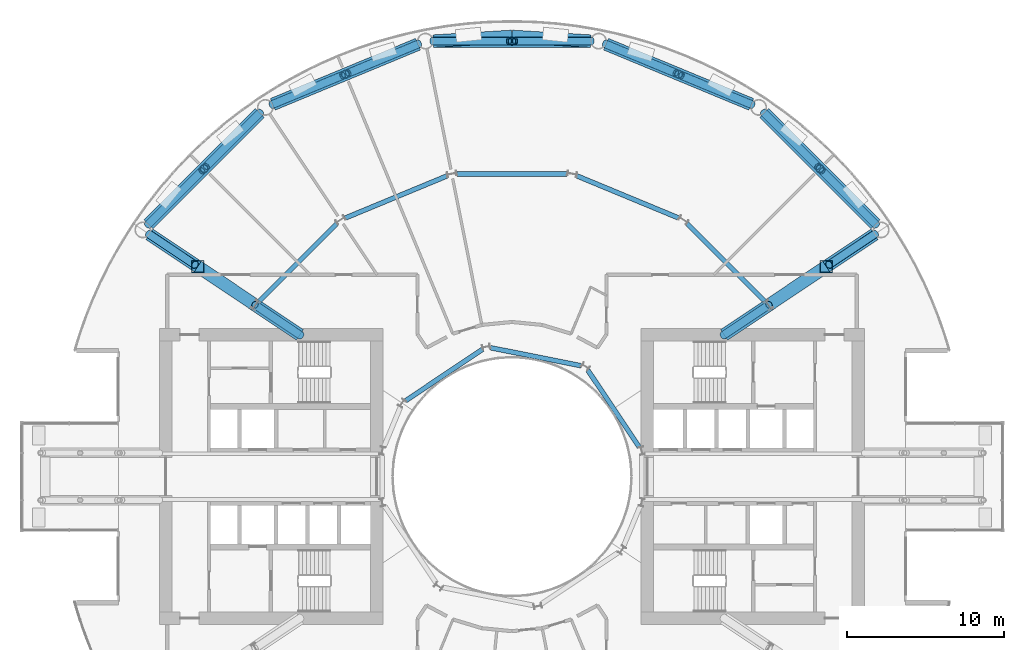
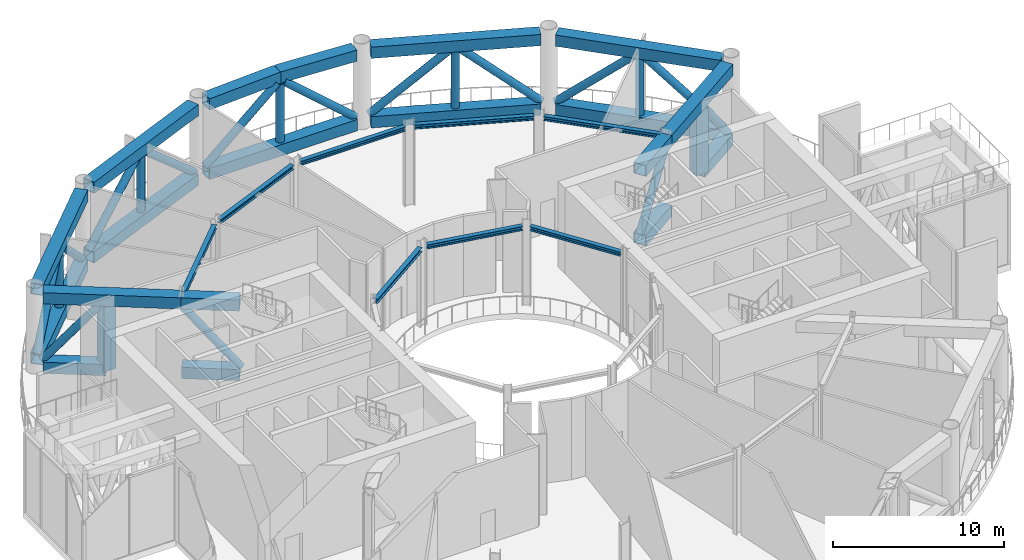
# One storey, part 8 of 22: 27 beams, 21 members.
"""IFC4 building model written with IfcOpenShell, lengths in metres."""

from ifc_helpers import new_model, si_unit, direction, frame, origin, origin_2d, place, context, subcontext, project, spatial, hollow_rectangle, hollow_circle, i_section, extrude, material, material_profile, profile_set, type_object, element, save


model = new_model("IFC4")

# Units and contexts
model_context = context("Model", 3, precision=1e-05, world=origin(), true_north=direction((0.0, 1.0)))
body_context = subcontext(model_context, "Body", "Model", "MODEL_VIEW")
ifc_project = project(units=[si_unit("LENGTHUNIT", "METRE"), si_unit("AREAUNIT", "SQUARE_METRE"), si_unit("VOLUMEUNIT", "CUBIC_METRE"), si_unit("PLANEANGLEUNIT", "RADIAN"), si_unit("MASSUNIT", "GRAM", prefix="KILO")], contexts=[model_context])

# Site, building, storey
site_placement = place(None, origin())
site = spatial("IfcSite", under=ifc_project, at=site_placement, CompositionType="ELEMENT")
building_placement = place(site_placement, origin())
building = spatial("IfcBuilding", under=site, at=building_placement, Name="Maasbend Ring Residences", CompositionType="ELEMENT")
storey_placement = place(building_placement, frame((0.0, 0.0, 57.5)))
storey = spatial("IfcBuildingStorey", under=building, at=storey_placement, Name="L16", CompositionType="ELEMENT", Elevation=57.5)

# Beams
ifc_material_1 = material(Name="Steel S460M", Category="steel")
ifc_material_profile_1 = material_profile(ifc_material_1, hollow_rectangle(XDim=0.800048828125, YDim=0.800048828125, WallThickness=0.0400390625, at=origin_2d()), Name="Belt truss chord BX 800x800x40")
ifc_profile_set_1 = profile_set([ifc_material_profile_1], Name="Steel S460M")
beam_type_1 = type_object("IfcBeamType", Name="Belt truss chord BX 800x800x40", PredefinedType="BEAM", material=ifc_profile_set_1)
for number, where, z_axis, x_axis, name in (
    (1, (23.088134765625, 16.0263671875, 0.39990234375), (-0.707106781187, 0.707106781187, 0.0), (-0.707106781187, -0.707106781187, 0.0), "Belt truss"),
    (2, (23.088134765625, 16.0263671875, 5.35009765625), (-0.707106781187, 0.707106781187, 0.0), (-0.707106781187, -0.707106781187, 0.0), "Belt truss"),
):
    element("IfcBeam", number, at=place(storey_placement, frame(where, z_axis=z_axis, x_axis=x_axis)), inside=storey, type_object=beam_type_1, Name=name, PredefinedType="BEAM", context=body_context, shape_type="SweptSolid", body=[
        extrude(hollow_rectangle(XDim=0.800048828125, YDim=0.800048828125, WallThickness=0.0400390625, at=origin_2d()), origin(), (0.0, 0.0, 1.0), 9.98681640625),
    ])
for number, where, z_axis, x_axis, name in (
    (3, (15.19775390625, 23.641845703125, 0.39990234375), (-0.923886337442, 0.382667003395, 0.0), (-0.382667003395, -0.923886337442, 0.0), "Belt truss"),
    (4, (15.19775390625, 23.641845703125, 5.35009765625), (-0.923886337442, 0.382667003395, 0.0), (-0.382667003395, -0.923886337442, 0.0), "Belt truss"),
):
    element("IfcBeam", number, at=place(storey_placement, frame(where, z_axis=z_axis, x_axis=x_axis)), inside=storey, type_object=beam_type_1, Name=name, PredefinedType="BEAM", context=body_context, shape_type="SweptSolid", body=[
        extrude(hollow_rectangle(XDim=0.800048828125, YDim=0.800048828125, WallThickness=0.0400390625, at=origin_2d()), origin(), (0.0, 0.0, 1.0), 9.9873046875),
    ])
beam_1_placement = place(storey_placement, frame((4.993408203125, 27.658203125, 0.39990234375), z_axis=(-1.0, 0.0, 0.0), x_axis=(0.0, -1.0, 0.0)))
element("IfcBeam", 5, at=beam_1_placement, inside=storey, type_object=beam_type_1, Name="Belt truss", PredefinedType="BEAM", context=body_context, shape_type="SweptSolid", body=[
    extrude(hollow_rectangle(XDim=0.800048828125, YDim=0.800048828125, WallThickness=0.0400390625, at=origin_2d()), origin(), (0.0, 0.0, 1.0), 9.98681640625),
])
for number, where, z_axis, x_axis, name in (
    (6, (4.993408203125, 27.658203125, 5.35009765625), (-0.998202452092, 0.059932166976, 0.0), (-0.059932166976, -0.998202452092, 0.0), "Belt truss"),
    (7, (0.0, 27.9580078125, 5.35009765625), (-0.998202452092, -0.059932166976, 0.0), (0.059932166976, -0.998202452092, 0.0), "Belt truss"),
):
    element("IfcBeam", number, at=place(storey_placement, frame(where, z_axis=z_axis, x_axis=x_axis)), inside=storey, type_object=beam_type_1, Name=name, PredefinedType="BEAM", context=body_context, shape_type="SweptSolid", body=[
        extrude(hollow_rectangle(XDim=0.800048828125, YDim=0.800048828125, WallThickness=0.0400390625, at=origin_2d()), origin(), (0.0, 0.0, 1.0), 5.00244140625),
    ])
for number, where, z_axis, x_axis, name in (
    (8, (-5.970703125, 27.463623046875, 0.39990234375), (-0.923886337442, -0.382667003395, 0.0), (0.382667003395, -0.923886337442, 0.0), "Belt truss"),
    (9, (-5.970703125, 27.463623046875, 5.35009765625), (-0.923886337442, -0.382667003395, 0.0), (0.382667003395, -0.923886337442, 0.0), "Belt truss"),
):
    element("IfcBeam", number, at=place(storey_placement, frame(where, z_axis=z_axis, x_axis=x_axis)), inside=storey, type_object=beam_type_1, Name=name, PredefinedType="BEAM", context=body_context, shape_type="SweptSolid", body=[
        extrude(hollow_rectangle(XDim=0.800048828125, YDim=0.800048828125, WallThickness=0.0400390625, at=origin_2d()), origin(), (0.0, 0.0, 1.0), 9.9873046875),
    ])
for number, where, z_axis, x_axis, name in (
    (10, (-16.0263671875, 23.088134765625, 0.39990234375), (-0.707106781187, -0.707106781187, 0.0), (0.707106781187, -0.707106781187, 0.0), "Belt truss"),
    (11, (-16.0263671875, 23.088134765625, 5.35009765625), (-0.707106781187, -0.707106781187, 0.0), (0.707106781187, -0.707106781187, 0.0), "Belt truss"),
):
    element("IfcBeam", number, at=place(storey_placement, frame(where, z_axis=z_axis, x_axis=x_axis)), inside=storey, type_object=beam_type_1, Name=name, PredefinedType="BEAM", context=body_context, shape_type="SweptSolid", body=[
        extrude(hollow_rectangle(XDim=0.800048828125, YDim=0.800048828125, WallThickness=0.0400390625, at=origin_2d()), origin(), (0.0, 0.0, 1.0), 9.98681640625),
    ])

# Members
ifc_material_2 = material(Name="Steel S460NH", Category="steel")
ifc_material_profile_2 = material_profile(ifc_material_2, hollow_circle(Radius=0.25390625, WallThickness=0.02490234375, at=origin_2d()), Name="Belt truss diagonal CHS 508x25")
ifc_profile_set_2 = profile_set([ifc_material_profile_2], Name="Steel S460NH")
member_type_1 = type_object("IfcMemberType", Name="Belt truss diagonal CHS 508x25", PredefinedType="BRACE", material=ifc_profile_set_2)
for number, where, z_axis, x_axis, name in (
    (12, (23.128662109375, 15.98583984375, 0.75), (-0.531991428585, 0.531991428585, 0.658764176185), (-0.707106781187, -0.707106781187, 0.0), "Belt truss diagonal"),
    (13, (19.41796875, 19.696533203125, 5.0), (-0.531991428585, 0.531991428585, -0.658764176185), (-0.707106781187, -0.707106781187, 0.0), "Belt truss diagonal"),
    (14, (15.25048828125, 23.619873046875, 0.75), (-0.695087926756, 0.287904450499, 0.658759289469), (-0.382671638182, -0.923884417734, 0.0), "Belt truss diagonal"),
    (15, (10.40234375, 25.628173828125, 5.0), (-0.695068367071, 0.287912023557, -0.658776617519), (-0.382689421718, -0.923877051617, 0.0), "Belt truss diagonal"),
):
    element("IfcMember", number, at=place(storey_placement, frame(where, z_axis=z_axis, x_axis=x_axis)), inside=storey, type_object=member_type_1, Name=name, PredefinedType="BRACE", context=body_context, shape_type="SweptSolid", body=[
        extrude(hollow_circle(Radius=0.25390625, WallThickness=0.02490234375, at=origin_2d()), origin(), (0.0, 0.0, 1.0), 6.451416015625),
    ])
for number, where, z_axis, x_axis, name in (
    (16, (5.050537109375, 27.658203125, 0.75), (-0.752332835899, 0.0, 0.658783199564), (0.0, -1.0, 0.0), "Belt truss diagonal"),
    (17, (-0.197021484375, 27.658203125, 5.0), (-0.752332835899, 0.0, -0.658783199564), (0.0, -1.0, 0.0), "Belt truss diagonal"),
):
    element("IfcMember", number, at=place(storey_placement, frame(where, z_axis=z_axis, x_axis=x_axis)), inside=storey, type_object=member_type_1, Name=name, PredefinedType="BRACE", context=body_context, shape_type="SweptSolid", body=[
        extrude(hollow_circle(Radius=0.25390625, WallThickness=0.02490234375, at=origin_2d()), origin(), (0.0, 0.0, 1.0), 6.451171875),
    ])
for number, where, z_axis, x_axis, name in (
    (18, (-5.918212890625, 27.485595703125, 0.75), (-0.695068367071, -0.287912023557, 0.658776617519), (0.382689421718, -0.923877051617, 0.0), "Belt truss diagonal"),
    (19, (-10.76611328125, 25.477294921875, 5.0), (-0.695087926756, -0.287904450499, -0.658759289469), (0.382671638182, -0.923884417734, 0.0), "Belt truss diagonal"),
    (20, (-15.98583984375, 23.128662109375, 0.75), (-0.531991428585, -0.531991428585, 0.658764176185), (0.707106781187, -0.707106781187, 0.0), "Belt truss diagonal"),
    (21, (-19.696533203125, 19.41796875, 5.0), (-0.531991428585, -0.531991428585, -0.658764176185), (0.707106781187, -0.707106781187, 0.0), "Belt truss diagonal"),
):
    element("IfcMember", number, at=place(storey_placement, frame(where, z_axis=z_axis, x_axis=x_axis)), inside=storey, type_object=member_type_1, Name=name, PredefinedType="BRACE", context=body_context, shape_type="SweptSolid", body=[
        extrude(hollow_circle(Radius=0.25390625, WallThickness=0.02490234375, at=origin_2d()), origin(), (0.0, 0.0, 1.0), 6.451416015625),
    ])
ifc_material_3 = material(Name="Steel S460NH", Category="steel")
ifc_material_profile_3 = material_profile(ifc_material_3, hollow_circle(Radius=0.25390625, WallThickness=0.01611328125, at=origin_2d()), Name="Belt truss post CHS 508x16")
ifc_profile_set_3 = profile_set([ifc_material_profile_3], Name="Steel S460NH")
member_type_2 = type_object("IfcMemberType", Name="Belt truss post CHS 508x16", PredefinedType="POST", material=ifc_profile_set_3)
for number, where, z_axis, x_axis, name in (
    (22, (19.55712890625, 19.55712890625, 0.800048828125), (0.0, 0.0, 1.0), (1.0, 0.0, 0.0), "Belt truss post"),
    (23, (10.584228515625, 25.552734375, 0.800048828125), (0.0, 0.0, 1.0), (1.0, 0.0, 0.0), "Belt truss post"),
    (24, (0.0, 27.658203125, 0.800048828125), (0.0, 0.0, 1.0), (1.0, 0.0, 0.0), "Belt truss post"),
    (25, (-10.584228515625, 25.552734375, 0.800048828125), (0.0, 0.0, 1.0), (1.0, 0.0, 0.0), "Belt truss post"),
    (26, (-19.55712890625, 19.55712890625, 0.800048828125), (0.0, 0.0, 1.0), (1.0, 0.0, 0.0), "Belt truss post"),
):
    element("IfcMember", number, at=place(storey_placement, frame(where, z_axis=z_axis, x_axis=x_axis)), inside=storey, type_object=member_type_2, Name=name, PredefinedType="POST", context=body_context, shape_type="SweptSolid", body=[
        extrude(hollow_circle(Radius=0.25390625, WallThickness=0.01611328125, at=origin_2d()), origin(), (0.0, 0.0, 1.0), 4.14990234375),
    ])

# Beams
ifc_material_4 = material(Name="Steel S355J2", Category="steel")
ifc_material_profile_4 = material_profile(ifc_material_4, i_section(OverallWidth=0.300048828125, OverallDepth=0.300048828125, WebThickness=0.010986328125, FlangeThickness=0.01904296875, FilletRadius=0.027099609375, at=origin_2d()), Name="HEB 300")
ifc_profile_set_4 = profile_set([ifc_material_profile_4], Name="Steel S355J2")
beam_type_2 = type_object("IfcBeamType", Name="Corridor ring beam HEB 300", PredefinedType="BEAM", material=ifc_profile_set_4)
beam_2_placement = place(storey_placement, frame((16.0732421875, 11.11279296875, 5.60009765625), z_axis=(-0.707106781187, 0.707106781187, 0.0), x_axis=(-0.707106781187, -0.707106781187, 0.0)))
element("IfcBeam", 27, at=beam_2_placement, inside=storey, type_object=beam_type_2, Name="Corridor ring beam", PredefinedType="BEAM", context=body_context, shape_type="SweptSolid", body=[
    extrude(i_section(OverallWidth=0.300048828125, OverallDepth=0.300048828125, WebThickness=0.010986328125, FlangeThickness=0.01904296875, FilletRadius=0.027099609375, at=origin_2d()), origin(), (0.0, 0.0, 1.0), 7.01513671875),
])
beam_3_placement = place(storey_placement, frame((10.59716796875, 16.417724609375, 5.60009765625), z_axis=(-0.923886196809, 0.38266734293, 0.0), x_axis=(-0.38266734293, -0.923886196809, 0.0)))
element("IfcBeam", 28, at=beam_3_placement, inside=storey, type_object=beam_type_2, Name="Corridor ring beam", PredefinedType="BEAM", context=body_context, shape_type="SweptSolid", body=[
    extrude(i_section(OverallWidth=0.300048828125, OverallDepth=0.300048828125, WebThickness=0.010986328125, FlangeThickness=0.01904296875, FilletRadius=0.027099609375, at=origin_2d()), origin(), (0.0, 0.0, 1.0), 7.015380859375),
])
beam_4_placement = place(storey_placement, frame((3.5078125, 19.223388671875, 5.60009765625), z_axis=(-1.0, 0.0, 0.0), x_axis=(0.0, -1.0, 0.0)))
element("IfcBeam", 29, at=beam_4_placement, inside=storey, type_object=beam_type_2, Name="Corridor ring beam", PredefinedType="BEAM", context=body_context, shape_type="SweptSolid", body=[
    extrude(i_section(OverallWidth=0.300048828125, OverallDepth=0.300048828125, WebThickness=0.010986328125, FlangeThickness=0.01904296875, FilletRadius=0.027099609375, at=origin_2d()), origin(), (0.0, 0.0, 1.0), 7.015625),
])
beam_5_placement = place(storey_placement, frame((-4.11572265625, 19.102294921875, 5.60009765625), z_axis=(-0.923886196809, -0.38266734293, 0.0), x_axis=(0.38266734293, -0.923886196809, 0.0)))
element("IfcBeam", 30, at=beam_5_placement, inside=storey, type_object=beam_type_2, Name="Corridor ring beam", PredefinedType="BEAM", context=body_context, shape_type="SweptSolid", body=[
    extrude(i_section(OverallWidth=0.300048828125, OverallDepth=0.300048828125, WebThickness=0.010986328125, FlangeThickness=0.01904296875, FilletRadius=0.027099609375, at=origin_2d()), origin(), (0.0, 0.0, 1.0), 7.015380859375),
])
beam_6_placement = place(storey_placement, frame((-11.11279296875, 16.0732421875, 5.60009765625), z_axis=(-0.707106781187, -0.707106781187, 0.0), x_axis=(0.707106781187, -0.707106781187, 0.0)))
element("IfcBeam", 31, at=beam_6_placement, inside=storey, type_object=beam_type_2, Name="Corridor ring beam", PredefinedType="BEAM", context=body_context, shape_type="SweptSolid", body=[
    extrude(i_section(OverallWidth=0.300048828125, OverallDepth=0.300048828125, WebThickness=0.010986328125, FlangeThickness=0.01904296875, FilletRadius=0.027099609375, at=origin_2d()), origin(), (0.0, 0.0, 1.0), 7.01513671875),
])
ifc_material_5 = material(Name="Steel S460M", Category="steel")
ifc_material_profile_5 = material_profile(ifc_material_5, hollow_rectangle(XDim=0.800048828125, YDim=0.800048828125, WallThickness=0.0400390625, at=origin_2d()), Name="Outrigger truss chord BX 800x800x40")
ifc_profile_set_5 = profile_set([ifc_material_profile_5], Name="Steel S460M")
beam_type_3 = type_object("IfcBeamType", Name="Outrigger truss chord BX 800x800x40", PredefinedType="BEAM", material=ifc_profile_set_5)
beam_7_placement = place(storey_placement, frame((23.02490234375, 15.385009765625, 0.39990234375), z_axis=(-0.83143805452, -0.555617459676, 0.0), x_axis=(0.555617459676, -0.83143805452, 0.0)))
element("IfcBeam", 32, at=beam_7_placement, inside=storey, type_object=beam_type_3, Name="Outrigger truss", PredefinedType="BEAM", context=body_context, shape_type="SweptSolid", body=[
    extrude(hollow_rectangle(XDim=0.800048828125, YDim=0.800048828125, WallThickness=0.0400390625, at=origin_2d()), origin(), (0.0, 0.0, 1.0), 3.68408203125),
])
beam_8_placement = place(storey_placement, frame((23.02490234375, 15.385009765625, 5.35009765625), z_axis=(-0.831450444505, -0.555598918585, 0.0), x_axis=(0.555598918585, -0.831450444505, 0.0)))
element("IfcBeam", 33, at=beam_8_placement, inside=storey, type_object=beam_type_3, Name="Outrigger truss", PredefinedType="BEAM", context=body_context, shape_type="SweptSolid", body=[
    extrude(hollow_rectangle(XDim=0.800048828125, YDim=0.800048828125, WallThickness=0.0400390625, at=origin_2d()), origin(), (0.0, 0.0, 1.0), 8.083984375),
])
for number, where, z_axis, x_axis, name in (
    (34, (16.2900390625, 10.884765625, 0.39990234375), (-0.831451918965, -0.555596712058, 0.0), (0.555596712058, -0.831451918965, 0.0), "Outrigger truss"),
    (35, (16.2900390625, 10.884765625, 5.35009765625), (-0.831451918965, -0.555596712058, 0.0), (0.555596712058, -0.831451918965, 0.0), "Outrigger truss"),
):
    element("IfcBeam", number, at=place(storey_placement, frame(where, z_axis=z_axis, x_axis=x_axis)), inside=storey, type_object=beam_type_3, Name=name, PredefinedType="BEAM", context=body_context, shape_type="SweptSolid", body=[
        extrude(hollow_rectangle(XDim=0.800048828125, YDim=0.800048828125, WallThickness=0.0400390625, at=origin_2d()), origin(), (0.0, 0.0, 1.0), 3.392333984375),
    ])
beam_9_placement = place(storey_placement, frame((-23.02490234375, 15.385009765625, 0.39990234375), z_axis=(0.83143805452, -0.555617459676, 0.0), x_axis=(0.555617459676, 0.83143805452, 0.0)))
element("IfcBeam", 36, at=beam_9_placement, inside=storey, type_object=beam_type_3, Name="Outrigger truss", PredefinedType="BEAM", context=body_context, shape_type="SweptSolid", body=[
    extrude(hollow_rectangle(XDim=0.800048828125, YDim=0.800048828125, WallThickness=0.0400390625, at=origin_2d()), origin(), (0.0, 0.0, 1.0), 3.68408203125),
])
beam_10_placement = place(storey_placement, frame((-23.02490234375, 15.385009765625, 5.35009765625), z_axis=(0.831450444505, -0.555598918585, 0.0), x_axis=(0.555598918585, 0.831450444505, 0.0)))
element("IfcBeam", 37, at=beam_10_placement, inside=storey, type_object=beam_type_3, Name="Outrigger truss", PredefinedType="BEAM", context=body_context, shape_type="SweptSolid", body=[
    extrude(hollow_rectangle(XDim=0.800048828125, YDim=0.800048828125, WallThickness=0.0400390625, at=origin_2d()), origin(), (0.0, 0.0, 1.0), 8.083984375),
])
for number, where, z_axis, x_axis, name in (
    (38, (-16.2900390625, 10.884765625, 0.39990234375), (0.831451918965, -0.555596712058, 0.0), (0.555596712058, 0.831451918965, 0.0), "Outrigger truss"),
    (39, (-16.2900390625, 10.884765625, 5.35009765625), (0.831451918965, -0.555596712058, 0.0), (0.555596712058, 0.831451918965, 0.0), "Outrigger truss"),
):
    element("IfcBeam", number, at=place(storey_placement, frame(where, z_axis=z_axis, x_axis=x_axis)), inside=storey, type_object=beam_type_3, Name=name, PredefinedType="BEAM", context=body_context, shape_type="SweptSolid", body=[
        extrude(hollow_rectangle(XDim=0.800048828125, YDim=0.800048828125, WallThickness=0.0400390625, at=origin_2d()), origin(), (0.0, 0.0, 1.0), 3.392333984375),
    ])

# Members
ifc_material_6 = material(Name="Steel S460NH", Category="steel")
ifc_material_profile_6 = material_profile(ifc_material_6, hollow_circle(Radius=0.25390625, WallThickness=0.02490234375, at=origin_2d()), Name="Outrigger truss diagonal CHS 508x25")
ifc_profile_set_6 = profile_set([ifc_material_profile_6], Name="Steel S460NH")
member_type_3 = type_object("IfcMemberType", Name="Outrigger truss diagonal CHS 508x25", PredefinedType="BRACE", material=ifc_profile_set_6)
member_1_placement = place(storey_placement, frame((23.059326171875, 15.40771484375, 0.75), z_axis=(-0.529709832536, -0.353922150921, 0.770809058329), x_axis=(0.55555000103, -0.83148313053, 0.0)))
element("IfcMember", 40, at=member_1_placement, inside=storey, type_object=member_type_3, Name="Outrigger truss diagonal", PredefinedType="BRACE", context=body_context, shape_type="SweptSolid", body=[
    extrude(hollow_circle(Radius=0.25390625, WallThickness=0.02490234375, at=origin_2d()), origin(), (0.0, 0.0, 1.0), 5.513671875),
])
member_2_placement = place(storey_placement, frame((16.32421875, 10.907470703125, 5.0), z_axis=(-0.526268216764, -0.351616371312, -0.774214241311), x_axis=(0.555543133943, -0.831487718688, 0.0)))
element("IfcMember", 41, at=member_2_placement, inside=storey, type_object=member_type_3, Name="Outrigger truss diagonal", PredefinedType="BRACE", context=body_context, shape_type="SweptSolid", body=[
    extrude(hollow_circle(Radius=0.25390625, WallThickness=0.02490234375, at=origin_2d()), origin(), (0.0, 0.0, 1.0), 5.489501953125),
])
member_3_placement = place(storey_placement, frame((-23.059326171875, 15.40771484375, 0.75), z_axis=(0.529709832536, -0.353922150921, 0.770809058329), x_axis=(0.55555000103, 0.83148313053, 0.0)))
element("IfcMember", 42, at=member_3_placement, inside=storey, type_object=member_type_3, Name="Outrigger truss diagonal", PredefinedType="BRACE", context=body_context, shape_type="SweptSolid", body=[
    extrude(hollow_circle(Radius=0.25390625, WallThickness=0.02490234375, at=origin_2d()), origin(), (0.0, 0.0, 1.0), 5.513671875),
])
member_4_placement = place(storey_placement, frame((-16.32421875, 10.907470703125, 5.0), z_axis=(0.526268216764, -0.351616371312, -0.774214241311), x_axis=(0.555543133943, 0.831487718688, 0.0)))
element("IfcMember", 43, at=member_4_placement, inside=storey, type_object=member_type_3, Name="Outrigger truss diagonal", PredefinedType="BRACE", context=body_context, shape_type="SweptSolid", body=[
    extrude(hollow_circle(Radius=0.25390625, WallThickness=0.02490234375, at=origin_2d()), origin(), (0.0, 0.0, 1.0), 5.489501953125),
])
ifc_material_7 = material(Name="Steel S460M", Category="steel")
ifc_material_profile_7 = material_profile(ifc_material_7, hollow_rectangle(XDim=0.800048828125, YDim=0.800048828125, WallThickness=0.0400390625, at=origin_2d()), Name="Outrigger truss post BX 800x800x40")
ifc_profile_set_7 = profile_set([ifc_material_profile_7], Name="Steel S460M")
member_type_4 = type_object("IfcMemberType", Name="Outrigger truss post BX 800x800x40", PredefinedType="POST", material=ifc_profile_set_7)
for number, where, z_axis, x_axis, name in (
    (44, (19.9619140625, 13.338134765625, 0.35009765625), (0.0, 0.0, 1.0), (1.0, 0.0, 0.0), "Outrigger truss post"),
    (45, (-19.9619140625, 13.338134765625, 0.35009765625), (0.0, 0.0, 1.0), (1.0, 0.0, 0.0), "Outrigger truss post"),
):
    element("IfcMember", number, at=place(storey_placement, frame(where, z_axis=z_axis, x_axis=x_axis)), inside=storey, type_object=member_type_4, Name=name, PredefinedType="POST", context=body_context, shape_type="SweptSolid", body=[
        extrude(hollow_rectangle(XDim=0.800048828125, YDim=0.800048828125, WallThickness=0.0400390625, at=origin_2d()), origin(), (0.0, 0.0, 1.0), 4.599853515625),
    ])

# Beams
ifc_material_8 = material(Name="Steel S355J2", Category="steel")
ifc_material_profile_8 = material_profile(ifc_material_8, i_section(OverallWidth=0.300048828125, OverallDepth=0.300048828125, WebThickness=0.010986328125, FlangeThickness=0.01904296875, FilletRadius=0.027099609375, at=origin_2d()), Name="HEB 300")
ifc_profile_set_8 = profile_set([ifc_material_profile_8], Name="Steel S355J2")
beam_type_4 = type_object("IfcBeamType", Name="Well edge beam HEB 300", PredefinedType="BEAM", material=ifc_profile_set_8)
beam_11_placement = place(storey_placement, frame((8.08837890625, 1.86376953125, 5.60009765625), z_axis=(-0.555589782054, 0.831456549723, 0.0), x_axis=(-0.831456549723, -0.555589782054, 0.0)))
element("IfcBeam", 46, at=beam_11_placement, inside=storey, type_object=beam_type_4, Name="Well edge beam", PredefinedType="BEAM", context=body_context, shape_type="SweptSolid", body=[
    extrude(i_section(OverallWidth=0.300048828125, OverallDepth=0.300048828125, WebThickness=0.010986328125, FlangeThickness=0.01904296875, FilletRadius=0.027099609375, at=origin_2d()), origin(), (0.0, 0.0, 1.0), 5.887939453125),
])
beam_12_placement = place(storey_placement, frame((4.4013671875, 7.037109375, 5.60009765625), z_axis=(-0.980784282486, 0.195095338819, 0.0), x_axis=(-0.195095338819, -0.980784282486, 0.0)))
element("IfcBeam", 47, at=beam_12_placement, inside=storey, type_object=beam_type_4, Name="Well edge beam", PredefinedType="BEAM", context=body_context, shape_type="SweptSolid", body=[
    extrude(i_section(OverallWidth=0.300048828125, OverallDepth=0.300048828125, WebThickness=0.010986328125, FlangeThickness=0.01904296875, FilletRadius=0.027099609375, at=origin_2d()), origin(), (0.0, 0.0, 1.0), 5.8876953125),
])
beam_13_placement = place(storey_placement, frame((-1.86376953125, 8.08837890625, 5.60009765625), z_axis=(-0.831456549723, -0.555589782054, 0.0), x_axis=(0.555589782054, -0.831456549723, 0.0)))
element("IfcBeam", 48, at=beam_13_placement, inside=storey, type_object=beam_type_4, Name="Well edge beam", PredefinedType="BEAM", context=body_context, shape_type="SweptSolid", body=[
    extrude(i_section(OverallWidth=0.300048828125, OverallDepth=0.300048828125, WebThickness=0.010986328125, FlangeThickness=0.01904296875, FilletRadius=0.027099609375, at=origin_2d()), origin(), (0.0, 0.0, 1.0), 5.887939453125),
])

save(model, "model.ifc")
